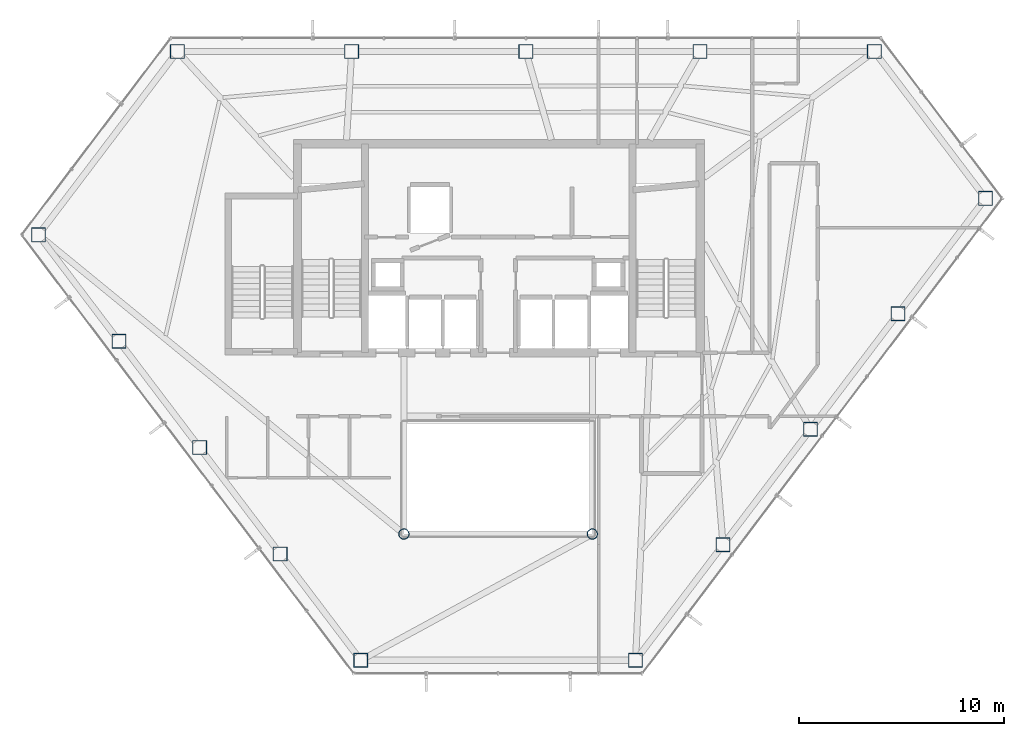
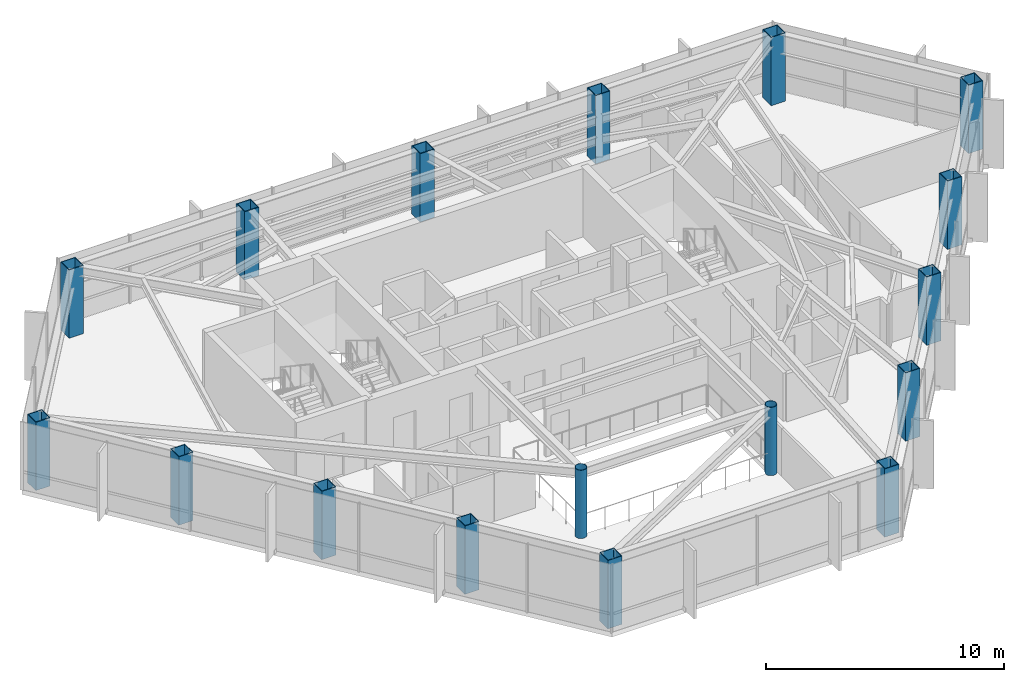
# One storey, part 1 of 28: 17 columns.
"""IFC4 building model written with IfcOpenShell, lengths in metres."""

from ifc_helpers import new_model, si_unit, direction, frame, origin, origin_2d, place, context, subcontext, project, spatial, hollow_rectangle, hollow_circle, extrude, material, material_profile, profile_set, type_object, element, save


model = new_model("IFC4")

# Units and contexts
model_context = context("Model", 3, precision=1e-05, world=origin(), true_north=direction((0.0, 1.0)))
body_context = subcontext(model_context, "Body", "Model", "MODEL_VIEW")
ifc_project = project(units=[si_unit("LENGTHUNIT", "METRE"), si_unit("AREAUNIT", "SQUARE_METRE"), si_unit("VOLUMEUNIT", "CUBIC_METRE"), si_unit("PLANEANGLEUNIT", "RADIAN"), si_unit("MASSUNIT", "GRAM", prefix="KILO")], contexts=[model_context])

# Site, building, storey
site_placement = place(None, origin())
site = spatial("IfcSite", under=ifc_project, at=site_placement, CompositionType="ELEMENT")
building_placement = place(site_placement, origin())
building = spatial("IfcBuilding", under=site, at=building_placement, Name="Zarrinselat Tower", CompositionType="ELEMENT")
storey_placement = place(building_placement, frame((0.0, 0.0, 187.0)))
storey = spatial("IfcBuildingStorey", under=building, at=storey_placement, Name="L46", CompositionType="ELEMENT", Elevation=187.0)

# Columns
ifc_material_1 = material(Name="Steel S355J2", Category="steel")
ifc_material_profile_1 = material_profile(ifc_material_1, hollow_circle(Radius=0.25390625, WallThickness=0.02001953125, at=origin_2d()), Name="CHS 508x20")
ifc_profile_set_1 = profile_set([ifc_material_profile_1], Name="Steel S355J2")
column_type_1 = type_object("IfcColumnType", Name="COL-CHS508", PredefinedType="COLUMN", material=ifc_profile_set_1)
for number, where, z_axis, x_axis, name in (
    (1, (33.800048828125, 24.39990234375, 0.0), (0.0, 0.0, 1.0), (1.0, 0.0, 0.0), "L46 Atrium Corner Column 1"),
    (2, (43.0, 24.39990234375, 0.0), (0.0, 0.0, 1.0), (1.0, 0.0, 0.0), "L46 Atrium Corner Column 2"),
):
    element("IfcColumn", number, at=place(storey_placement, frame(where, z_axis=z_axis, x_axis=x_axis)), inside=storey, type_object=column_type_1, Name=name, PredefinedType="COLUMN", context=body_context, shape_type="SweptSolid", body=[
        extrude(hollow_circle(Radius=0.25390625, WallThickness=0.02001953125, at=origin_2d()), origin(), (0.0, 0.0, 1.0), 3.5),
    ])
ifc_material_2 = material(Name="Steel S355J2", Category="steel")
ifc_material_profile_2 = material_profile(ifc_material_2, hollow_rectangle(XDim=0.699951171875, YDim=0.699951171875, WallThickness=0.034912109375, at=origin_2d()), Name="SHS 700x700x35")
ifc_profile_set_2 = profile_set([ifc_material_profile_2], Name="Steel S355J2")
column_type_2 = type_object("IfcColumnType", Name="COL-SHS700", PredefinedType="COLUMN", material=ifc_profile_set_2)
for number, where, z_axis, x_axis, name in (
    (3, (56.760009765625, 47.95556640625, 0.0), (0.0, 0.0, 1.0), (1.0, 0.0, 0.0), "L46 Framed-Tube Column T01"),
    (4, (48.256103515625, 47.95556640625, 0.0), (0.0, 0.0, 1.0), (1.0, 0.0, 0.0), "L46 Framed-Tube Column T02"),
    (5, (39.752197265625, 47.95556640625, 0.0), (0.0, 0.0, 1.0), (1.0, 0.0, 0.0), "L46 Framed-Tube Column T03"),
    (6, (31.24853515625, 47.95556640625, 0.0), (0.0, 0.0, 1.0), (1.0, 0.0, 0.0), "L46 Framed-Tube Column T04"),
    (7, (22.74462890625, 47.95556640625, 0.0), (0.0, 0.0, 1.0), (1.0, 0.0, 0.0), "L46 Framed-Tube Column T05"),
    (8, (15.96240234375, 39.0029296875, 0.0), (0.0, 0.0, 1.0), (1.0, 0.0, 0.0), "L46 Framed-Tube Column T06"),
    (9, (19.89501953125, 33.81201171875, 0.0), (0.0, 0.0, 1.0), (1.0, 0.0, 0.0), "L46 Framed-Tube Column T07"),
    (10, (23.827392578125, 28.62109375, 0.0), (0.0, 0.0, 1.0), (1.0, 0.0, 0.0), "L46 Framed-Tube Column T08"),
    (11, (27.760009765625, 23.43017578125, 0.0), (0.0, 0.0, 1.0), (1.0, 0.0, 0.0), "L46 Framed-Tube Column T09"),
    (12, (31.6923828125, 18.2392578125, 0.0), (0.0, 0.0, 1.0), (1.0, 0.0, 0.0), "L46 Framed-Tube Column T10"),
    (13, (45.107666015625, 18.2392578125, 0.0), (0.0, 0.0, 1.0), (1.0, 0.0, 0.0), "L46 Framed-Tube Column T11"),
    (14, (49.378173828125, 23.87646484375, 0.0), (0.0, 0.0, 1.0), (1.0, 0.0, 0.0), "L46 Framed-Tube Column T12"),
    (15, (53.648681640625, 29.513671875, 0.0), (0.0, 0.0, 1.0), (1.0, 0.0, 0.0), "L46 Framed-Tube Column T13"),
    (16, (57.919189453125, 35.15087890625, 0.0), (0.0, 0.0, 1.0), (1.0, 0.0, 0.0), "L46 Framed-Tube Column T14"),
    (17, (62.18994140625, 40.7880859375, 0.0), (0.0, 0.0, 1.0), (1.0, 0.0, 0.0), "L46 Framed-Tube Column T15"),
):
    element("IfcColumn", number, at=place(storey_placement, frame(where, z_axis=z_axis, x_axis=x_axis)), inside=storey, type_object=column_type_2, Name=name, PredefinedType="COLUMN", context=body_context, shape_type="SweptSolid", body=[
        extrude(hollow_rectangle(XDim=0.699951171875, YDim=0.699951171875, WallThickness=0.034912109375, at=origin_2d()), origin(), (0.0, 0.0, 1.0), 3.5),
    ])

save(model, "model.ifc")
